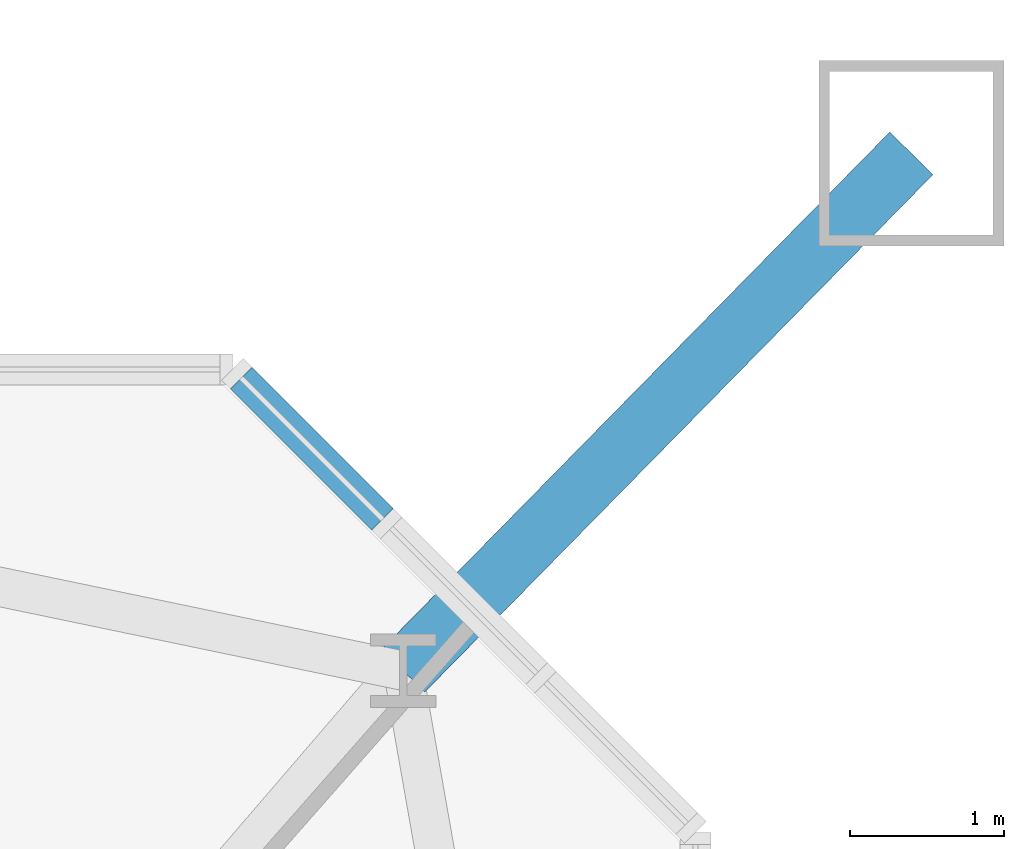
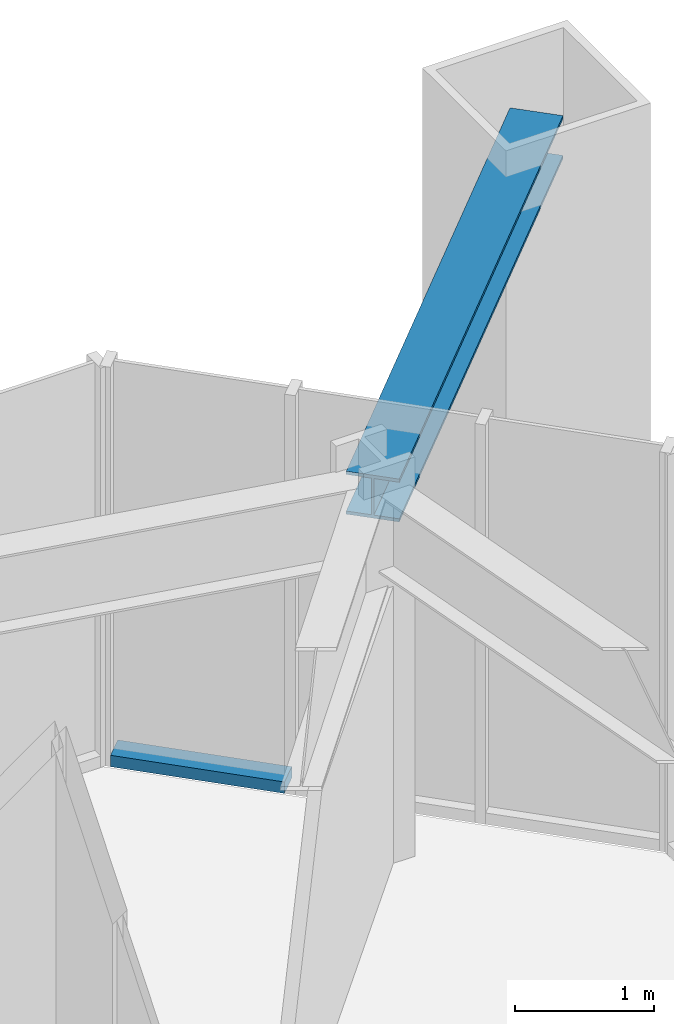
# One storey, part 11 of 26: 2 members, 1 element without a shape of its own.
"""IFC4 building model written with IfcOpenShell, lengths in metres."""

import ifcopenshell
import ifcopenshell.guid

model = None  # the IFC model being written
_history = None  # IfcOwnerHistory: only IFC2X3 demands one
_inside = {}  # id of a spatial element -> (the spatial element, [elements in it])
_under = {}  # id of a project, library or spatial element -> (it, [spatial elements below it])
_declared = {}  # id of a project -> (the project, [libraries it declares])
_typed = {}  # id of a type object -> (the type object, [elements of that type])
_made_of = {}  # id of a material, layer set ... -> (it, [elements and type objects made of it])


def new_model(schema):
    """Start an empty IFC model of exactly this schema.

    Asked for "IFC4X3", IfcOpenShell would pick the latest addendum, in which some entities
    have other attributes; the version numbers below select the first issue.
    IFC2X3 requires an IfcOwnerHistory on every rooted entity: one is made here for all.
    """
    global model, _history
    if schema == "IFC4X3":
        model = ifcopenshell.file(schema_version=(4, 3, 0, 0))
    else:
        model = ifcopenshell.file(schema=schema)
    _inside.clear()
    _under.clear()
    _declared.clear()
    _typed.clear()
    _made_of.clear()
    _history = None
    if model.schema == "IFC2X3":
        org = make("IfcOrganization", Name="unknown")
        user = make(
            "IfcPersonAndOrganization",
            ThePerson=make("IfcPerson", FamilyName="unknown"),
            TheOrganization=org,
        )
        app = make(
            "IfcApplication",
            ApplicationDeveloper=org,
            Version="unknown",
            ApplicationFullName="unknown",
            ApplicationIdentifier="unknown",
        )
        _history = make(
            "IfcOwnerHistory",
            OwningUser=user,
            OwningApplication=app,
            ChangeAction="ADDED",
            CreationDate=0,
        )
    return model


def make(cls, **values):
    """One entity of the class cls with the attributes given. An attribute that is None is left unset."""
    return model.create_entity(
        cls, **{name: value for name, value in values.items() if value is not None}
    )


def rooted(cls, **values):
    """An entity with a GlobalId (a new one), such as an element, a storey or a relation."""
    return make(cls, GlobalId=ifcopenshell.guid.new(), OwnerHistory=_history, **values)


def si_unit(unit_type, name, prefix=None):
    """IfcSIUnit, for example si_unit("LENGTHUNIT", "METRE", prefix="MILLI")."""
    return make("IfcSIUnit", UnitType=unit_type, Prefix=prefix, Name=name)


def assignment(units):
    """IfcUnitAssignment: the units of a project."""
    return None if units is None else make("IfcUnitAssignment", Units=units)


def point(xyz):
    """IfcCartesianPoint."""
    return None if xyz is None else make("IfcCartesianPoint", Coordinates=xyz)


def direction(xyz):
    """IfcDirection."""
    return None if xyz is None else make("IfcDirection", DirectionRatios=xyz)


def frame(location, z_axis=None, x_axis=None):
    """IfcAxis2Placement3D, a coordinate frame: its origin and axes. An axis left out is left unset."""
    return make(
        "IfcAxis2Placement3D",
        Location=point(location),
        Axis=direction(z_axis),
        RefDirection=direction(x_axis),
    )


def frame_2d(location, x_axis=None):
    """IfcAxis2Placement2D, a coordinate frame in the plane: its origin and x axis."""
    return make(
        "IfcAxis2Placement2D", Location=point(location), RefDirection=direction(x_axis)
    )


def origin():
    """The frame at (0, 0, 0) with its axes left unset."""
    return frame((0.0, 0.0, 0.0))


def origin_2d():
    """The frame at (0, 0) in the plane with its x axis left unset."""
    return frame_2d((0.0, 0.0))


def place(relative_to, where):
    """IfcLocalPlacement: puts the frame where relative to a parent placement (None: the world)."""
    return make(
        "IfcLocalPlacement", PlacementRelTo=relative_to, RelativePlacement=where
    )


def context(
    kind, dimensions, precision=None, world=None, true_north=None, identifier=None
):
    """IfcGeometricRepresentationContext, for example the 3D "Model" context."""
    return make(
        "IfcGeometricRepresentationContext",
        ContextIdentifier=identifier,
        ContextType=kind,
        CoordinateSpaceDimension=dimensions,
        Precision=precision,
        WorldCoordinateSystem=world,
        TrueNorth=true_north,
    )


def subcontext(parent, identifier, kind, view, scale=None):
    """IfcGeometricRepresentationSubContext, for example "Body" below "Model"."""
    return make(
        "IfcGeometricRepresentationSubContext",
        ContextIdentifier=identifier,
        ContextType=kind,
        ParentContext=parent,
        TargetScale=scale,
        TargetView=view,
    )


def project(units=None, contexts=None):
    """IfcProject with its units and contexts."""
    return rooted(
        "IfcProject",
        Name="project",
        RepresentationContexts=contexts,
        UnitsInContext=assignment(units),
    )


def spatial(cls, under=None, at=None, **own):
    """A site, building, storey or space (cls), placed at a placement, below another one or the project."""
    s = rooted(cls, ObjectPlacement=at, **own)
    if under is not None:
        _under.setdefault(under.id(), (under, []))[1].append(s)
    return s


def profile(cls, at=None, kind="AREA", **sizes):
    """A parametric profile (cls). Its sizes go by their IFC names, for example OverallWidth=200.0."""
    return make(cls, ProfileType=kind, Position=at, **sizes)


def rectangle(**sizes):
    """IfcRectangleProfileDef."""
    return profile("IfcRectangleProfileDef", **sizes)


def i_section(**sizes):
    """IfcIShapeProfileDef."""
    return profile("IfcIShapeProfileDef", **sizes)


def extrude(swept, where, along, depth):
    """IfcExtrudedAreaSolid: the profile swept, set in the frame where, extruded along a direction by depth."""
    return make(
        "IfcExtrudedAreaSolid",
        SweptArea=swept,
        Position=where,
        ExtrudedDirection=direction(along),
        Depth=depth,
    )


def shape(context_of_items, identifier, shape_type, items):
    """IfcShapeRepresentation: the items that make up one representation, for example the "Body"."""
    return make(
        "IfcShapeRepresentation",
        ContextOfItems=context_of_items,
        RepresentationIdentifier=identifier,
        RepresentationType=shape_type,
        Items=items,
    )


def material(Name=None, Category=None):
    """IfcMaterial."""
    return make("IfcMaterial", Name=Name, Category=Category)


def material_profile(
    of_material, cross_section, Name=None, Category=None, Priority=None
):
    """IfcMaterialProfile: a cross section and its material."""
    return make(
        "IfcMaterialProfile",
        Name=Name,
        Material=of_material,
        Profile=cross_section,
        Priority=Priority,
        Category=Category,
    )


def profile_set(profiles, Name=None, composite=None):
    """IfcMaterialProfileSet."""
    return make(
        "IfcMaterialProfileSet",
        Name=Name,
        MaterialProfiles=profiles,
        CompositeProfile=composite,
    )


def made_of(thing, what):
    """Note that an element or type object is made of a material, layer set ...; save() writes the relation."""
    if what is not None:
        _made_of.setdefault(what.id(), (what, []))[1].append(thing)
    return thing


def type_object(cls, material=None, **own):
    """A type object (cls), such as IfcWallType, which elements share."""
    return made_of(rooted(cls, **own), material)


def element(
    cls,
    number,
    at=None,
    inside=None,
    cuts=None,
    type_object=None,
    material=None,
    context=None,
    identifier="Body",
    shape_type=None,
    held_by="IfcProductDefinitionShape",
    body=None,
    shapes=None,
    **own,
):
    """One element of the class cls, such as IfcWall. Its Tag is "e" and its number.

    at: its placement. inside: the storey or other place that contains it. cuts: it is an
    opening in that element (IfcRelVoidsElement). A single representation is given by context,
    identifier, shape_type and body (its items); several are given by shapes. held_by: the class
    of the entity that holds the representations. save() writes the other relations.
    """
    e = rooted(cls, Tag="e%d" % number, ObjectPlacement=at, **own)
    if body is not None:
        shapes = [shape(context, identifier, shape_type, body)]
    if shapes is not None:
        e.Representation = make(held_by, Representations=shapes)
    if inside is not None:
        _inside.setdefault(inside.id(), (inside, []))[1].append(e)
    if cuts is not None:
        rooted(
            "IfcRelVoidsElement", RelatingBuildingElement=cuts, RelatedOpeningElement=e
        )
    if type_object is not None:
        _typed.setdefault(type_object.id(), (type_object, []))[1].append(e)
    return made_of(e, material)


def aggregate(whole, parts):
    """IfcRelAggregates: a whole, such as a stair, and the parts it consists of."""
    return rooted("IfcRelAggregates", RelatingObject=whole, RelatedObjects=parts)


def save(model, path):
    """Write the relations noted so far, then the file.

    IfcRelAggregates (storeys below a building ...), IfcRelContainedInSpatialStructure (elements
    in a storey), IfcRelDefinesByType, IfcRelAssociatesMaterial and IfcRelDeclares: one each for
    every whole, place, type object, material and project.
    """
    for whole, parts in _under.values():
        aggregate(whole, parts)
    for where, things in _inside.values():
        rooted(
            "IfcRelContainedInSpatialStructure",
            RelatedElements=things,
            RelatingStructure=where,
        )
    for kind, things in _typed.values():
        rooted("IfcRelDefinesByType", RelatedObjects=things, RelatingType=kind)
    for what, things in _made_of.values():
        rooted("IfcRelAssociatesMaterial", RelatedObjects=things, RelatingMaterial=what)
    for by, libraries in _declared.values():
        rooted("IfcRelDeclares", RelatingContext=by, RelatedDefinitions=libraries)
    model.write(path)


model = new_model("IFC4")

# Units and contexts
model_context = context("Model", 3, precision=1e-05, world=origin(), true_north=direction((0.0, 1.0)))
body_context = subcontext(model_context, "Body", "Model", "MODEL_VIEW")
ifc_project = project(units=[si_unit("LENGTHUNIT", "METRE"), si_unit("AREAUNIT", "SQUARE_METRE"), si_unit("VOLUMEUNIT", "CUBIC_METRE"), si_unit("PLANEANGLEUNIT", "RADIAN"), si_unit("MASSUNIT", "GRAM", prefix="KILO")], contexts=[model_context])

# Site, building, storey
site_placement = place(None, origin())
site = spatial("IfcSite", under=ifc_project, at=site_placement, CompositionType="ELEMENT")
building_placement = place(site_placement, origin())
building = spatial("IfcBuilding", under=site, at=building_placement, Name="Iwan Alto Co-Living Towers", CompositionType="ELEMENT")
storey_placement = place(building_placement, frame((0.0, 0.0, 46.5)))
storey = spatial("IfcBuildingStorey", under=building, at=storey_placement, Name="L12", CompositionType="ELEMENT", Elevation=46.5)

# Curtain wall, member
ifc_material_1 = material(Name="Bronze aluminium unitised frame", Category="aluminium")
curtain_wall_type = type_object("IfcCurtainWallType", Name="CURTAIN WALL CW-D", PredefinedType="NOTDEFINED", material=ifc_material_1)
curtain_wall_placement = place(storey_placement, origin())
curtain_wall = element("IfcCurtainWall", 1, at=curtain_wall_placement, inside=storey, type_object=curtain_wall_type, Name="T2 chamfer curtain wall NE L12", PredefinedType="NOTDEFINED")
ifc_material_2 = material(Name="Aluminium 6063-T6 bronze anodised", Category="aluminium")
ifc_material_profile_1 = material_profile(ifc_material_2, rectangle(XDim=0.199951171875, YDim=0.10009765625, at=origin_2d()), Name="AL 200X100")
ifc_profile_set_1 = profile_set([ifc_material_profile_1], Name="Aluminium 6063-T6 bronze anodised")
member_type_1 = type_object("IfcMemberType", Name="CW-D TRANSOM 200X100", PredefinedType="USERDEFINED", material=ifc_profile_set_1)
member_1_placement = place(storey_placement, frame((77.4716796875, 17.7783203125, 0.050048828125), z_axis=(-0.707106781187, 0.707106781187, 0.0), x_axis=(-0.707106781187, -0.707106781187, 0.0)))
member_1 = element("IfcMember", 2, at=member_1_placement, type_object=member_type_1, Name="CW-D transom 3.1", ObjectType="TRANSOM", PredefinedType="USERDEFINED", context=body_context, shape_type="SweptSolid", body=[
    extrude(rectangle(XDim=0.199951171875, YDim=0.10009765625, at=origin_2d()), origin(), (0.0, 0.0, 1.0), 1.2939453125),
])
aggregate(curtain_wall, [member_1])

# Member
ifc_material_3 = material(Name="Steel ASTM A992 Gr 50", Category="steel")
ifc_material_profile_2 = material_profile(ifc_material_3, i_section(OverallWidth=0.393798828125, OverallDepth=0.3759765625, WebThickness=0.017333984375, FlangeThickness=0.027587890625, at=origin_2d()), Name="W14X145")
ifc_profile_set_2 = profile_set([ifc_material_profile_2], Name="Steel ASTM A992 Gr 50")
member_type_2 = type_object("IfcMemberType", Name="T2 MEGA COLUMN FLOOR TIE W14X145", PredefinedType="STRUT", material=ifc_profile_set_2)
member_2_placement = place(storey_placement, frame((80.89990234375, 20.14990234375, 3.08203125), z_axis=(-0.700793469544, -0.71336422187, 0.0), x_axis=(0.71336422187, -0.700793469544, 0.0)))
element("IfcMember", 3, at=member_2_placement, inside=storey, type_object=member_type_2, Name="T2 mega column floor tie NE L13", PredefinedType="STRUT", context=body_context, shape_type="SweptSolid", body=[
    extrude(i_section(OverallWidth=0.393798828125, OverallDepth=0.3759765625, WebThickness=0.017333984375, FlangeThickness=0.027587890625, at=origin_2d()), origin(), (0.0, 0.0, 1.0), 4.699951171875),
])

save(model, "model.ifc")
